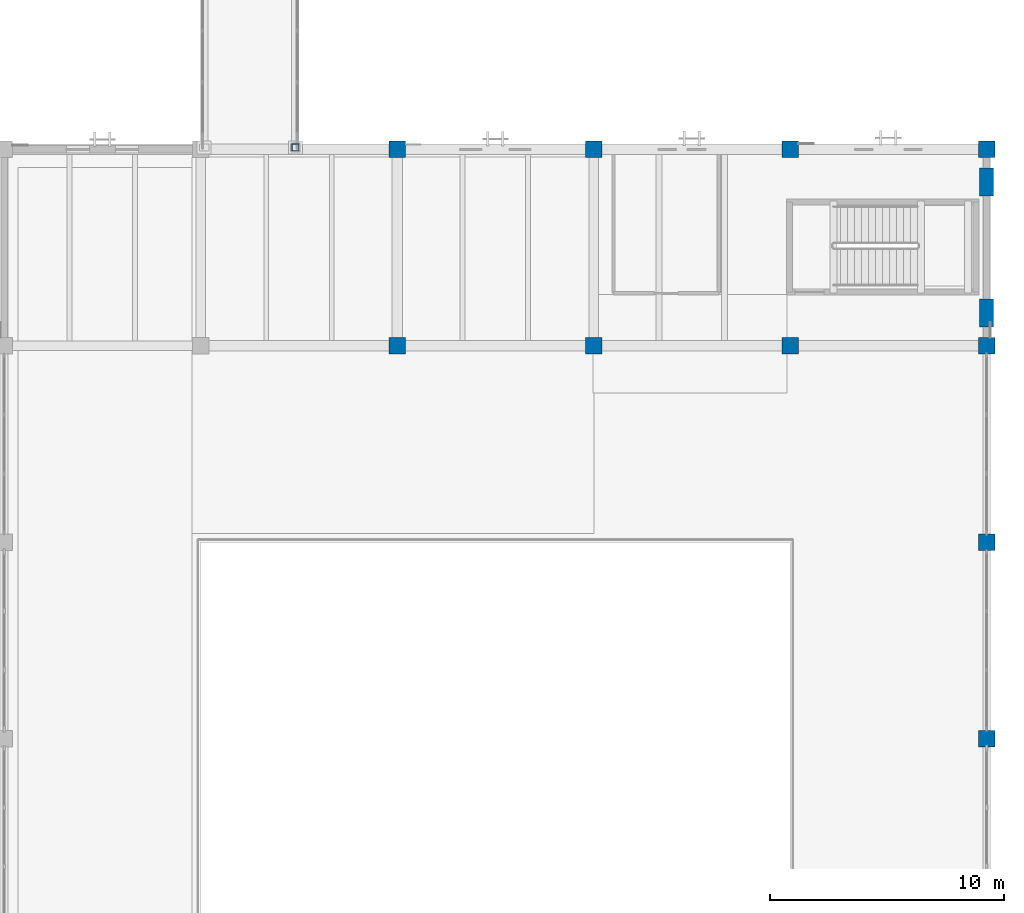
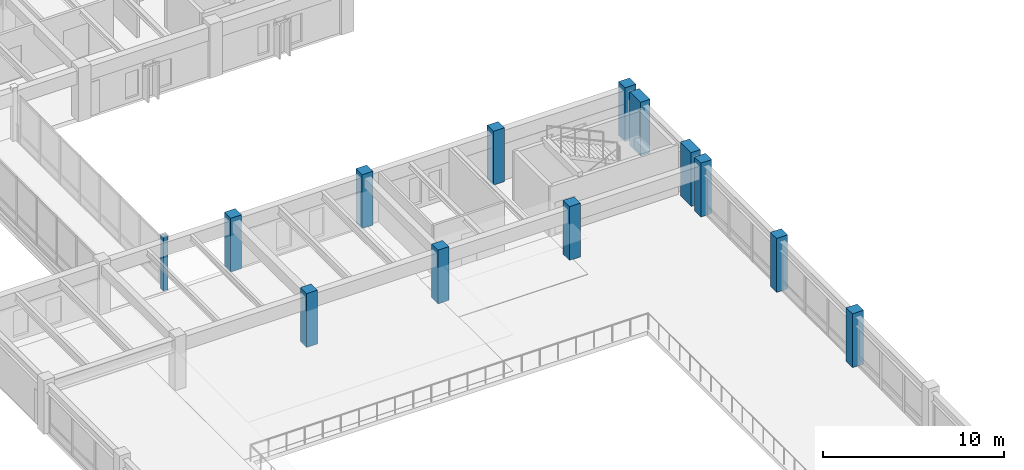
# One storey, part 10 of 118: 13 columns.
"""IFC4 building model written with IfcOpenShell, lengths in metres."""

from ifc_helpers import new_model, si_unit, direction, frame, origin, origin_2d, place, context, subcontext, project, spatial, rectangle, hollow_rectangle, extrude, material, material_profile, profile_set, type_object, element, save


model = new_model("IFC4")

# Units and contexts
model_context = context("Model", 3, precision=1e-05, world=origin(), true_north=direction((0.0, 1.0)))
body_context = subcontext(model_context, "Body", "Model", "MODEL_VIEW")
ifc_project = project(units=[si_unit("LENGTHUNIT", "METRE"), si_unit("AREAUNIT", "SQUARE_METRE"), si_unit("VOLUMEUNIT", "CUBIC_METRE"), si_unit("PLANEANGLEUNIT", "RADIAN"), si_unit("MASSUNIT", "GRAM", prefix="KILO")], contexts=[model_context])

# Site, building, storey
site_placement = place(None, origin())
site = spatial("IfcSite", under=ifc_project, at=site_placement, CompositionType="ELEMENT")
building_placement = place(site_placement, origin())
building = spatial("IfcBuilding", under=site, at=building_placement, Name="Cumbredor Promenade Congress Hotel", CompositionType="ELEMENT")
storey_placement = place(building_placement, frame((0.0, 0.0, 3.919921875)))
storey = spatial("IfcBuildingStorey", under=building, at=storey_placement, Name="L01", CompositionType="ELEMENT", Elevation=3.919921875)

# Columns
ifc_material_1 = material(Name="Concrete C40/50", Category="concrete")
ifc_material_profile_1 = material_profile(ifc_material_1, rectangle(XDim=0.699951171875, YDim=0.699951171875, at=origin_2d()), Name="RC 700x700")
ifc_profile_set_1 = profile_set([ifc_material_profile_1], Name="Concrete C40/50")
column_type_1 = type_object("IfcColumnType", Name="COL-RC-700", PredefinedType="COLUMN", material=ifc_profile_set_1)
for number, where, z_axis, x_axis, name in (
    (1, (159.60009765625, 58.800048828125, 0.0), (0.0, 0.0, 1.0), (1.0, 0.0, 0.0), "L01 Structural Column 176"),
    (2, (159.60009765625, 67.199951171875, 0.0), (0.0, 0.0, 1.0), (1.0, 0.0, 0.0), "L01 Structural Column 177"),
    (3, (168.0, 58.800048828125, 0.0), (0.0, 0.0, 1.0), (1.0, 0.0, 0.0), "L01 Structural Column 185"),
    (4, (168.0, 67.199951171875, 0.0), (0.0, 0.0, 1.0), (1.0, 0.0, 0.0), "L01 Structural Column 186"),
    (5, (176.39990234375, 58.800048828125, 0.0), (0.0, 0.0, 1.0), (1.0, 0.0, 0.0), "L01 Structural Column 194"),
    (6, (176.39990234375, 67.199951171875, 0.0), (0.0, 0.0, 1.0), (1.0, 0.0, 0.0), "L01 Structural Column 195"),
    (7, (184.800048828125, 42.0, 0.0), (0.0, 0.0, 1.0), (1.0, 0.0, 0.0), "L01 Structural Column 205"),
    (8, (184.800048828125, 50.39990234375, 0.0), (0.0, 0.0, 1.0), (1.0, 0.0, 0.0), "L01 Structural Column 206"),
    (9, (184.800048828125, 58.800048828125, 0.0), (0.0, 0.0, 1.0), (1.0, 0.0, 0.0), "L01 Structural Column 207"),
    (10, (184.800048828125, 67.199951171875, 0.0), (0.0, 0.0, 1.0), (1.0, 0.0, 0.0), "L01 Structural Column 208"),
):
    element("IfcColumn", number, at=place(storey_placement, frame(where, z_axis=z_axis, x_axis=x_axis)), inside=storey, type_object=column_type_1, Name=name, PredefinedType="COLUMN", context=body_context, shape_type="SweptSolid", body=[
        extrude(rectangle(XDim=0.699951171875, YDim=0.699951171875, at=origin_2d()), origin(), (0.0, 0.0, 1.0), 3.64013671875),
    ])
ifc_material_2 = material(Name="Steel ASTM A500 Grade C", Category="steel")
ifc_material_profile_2 = material_profile(ifc_material_2, hollow_rectangle(XDim=0.300048828125, YDim=0.300048828125, WallThickness=0.01611328125, at=origin_2d()), Name="HSS 300x300x16")
ifc_profile_set_2 = profile_set([ifc_material_profile_2], Name="Steel ASTM A500 Grade C")
column_type_2 = type_object("IfcColumnType", Name="COL-STL-HSS300", PredefinedType="COLUMN", material=ifc_profile_set_2)
column_placement = place(storey_placement, frame((155.25, 67.280029296875, 0.0), z_axis=(0.0, 0.0, 1.0), x_axis=(1.0, 0.0, 0.0)))
element("IfcColumn", 11, at=column_placement, inside=storey, type_object=column_type_2, Name="L01 East Ballroom-to-Forum Glazed Bridge Support Column 2", PredefinedType="COLUMN", context=body_context, shape_type="SweptSolid", body=[
    extrude(hollow_rectangle(XDim=0.300048828125, YDim=0.300048828125, WallThickness=0.01611328125, at=origin_2d()), origin(), (0.0, 0.0, 1.0), 3.64013671875),
])
ifc_material_3 = material(Name="Concrete C50/60", Category="concrete")
ifc_material_profile_3 = material_profile(ifc_material_3, rectangle(XDim=0.60009765625, YDim=1.199951171875, at=origin_2d()), Name="RC PILASTER 1200x600")
ifc_profile_set_3 = profile_set([ifc_material_profile_3], Name="Concrete C50/60")
column_type_3 = type_object("IfcColumnType", Name="PIL-RC-1200x600", PredefinedType="PILASTER", material=ifc_profile_set_3)
for number, where, z_axis, x_axis, name in (
    (12, (184.800048828125, 60.199951171875, 0.0), (0.0, 0.0, 1.0), (1.0, 0.0, 0.0), "L01 Acoustic Seismic Pilaster 031"),
    (13, (184.800048828125, 65.800048828125, 0.0), (0.0, 0.0, 1.0), (1.0, 0.0, 0.0), "L01 Acoustic Seismic Pilaster 032"),
):
    element("IfcColumn", number, at=place(storey_placement, frame(where, z_axis=z_axis, x_axis=x_axis)), inside=storey, type_object=column_type_3, Name=name, PredefinedType="PILASTER", context=body_context, shape_type="SweptSolid", body=[
        extrude(rectangle(XDim=0.60009765625, YDim=1.199951171875, at=origin_2d()), origin(), (0.0, 0.0, 1.0), 3.64013671875),
    ])

save(model, "model.ifc")
